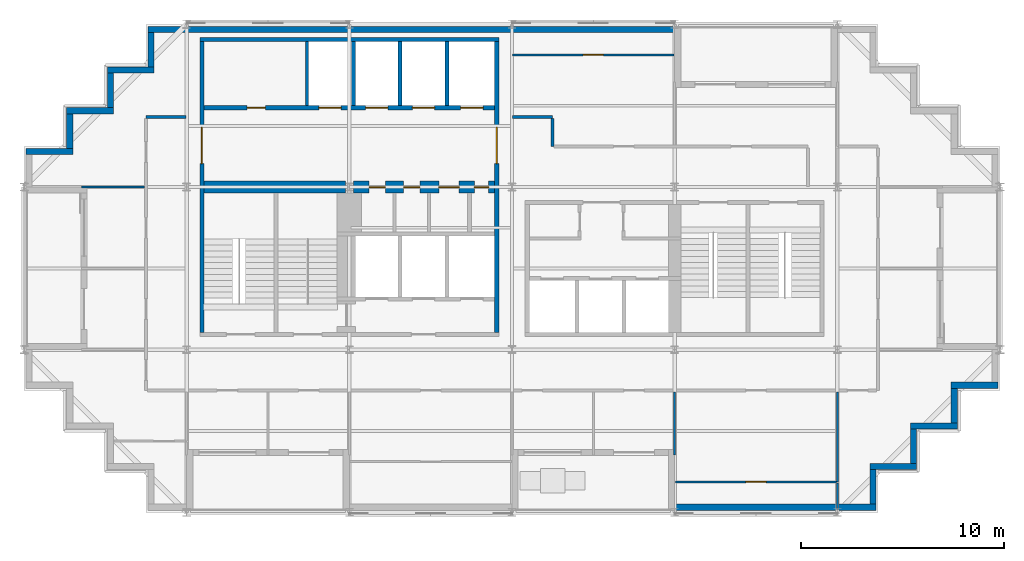
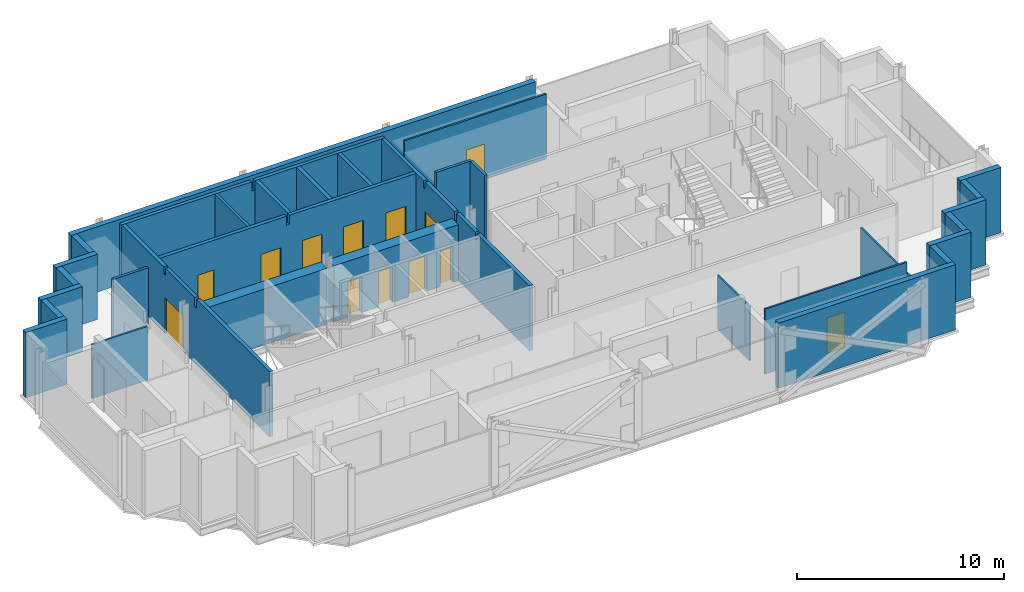
# One storey, part 6 of 10: 33 walls, 13 doors, 13 openings.
"""IFC4 building model written with IfcOpenShell, lengths in metres."""

from ifc_helpers import new_model, si_unit, direction, frame, frame_2d, origin, place, context, subcontext, project, spatial, polyline, rectangle, outline, extrude, material, layer, layer_set, type_object, element, fill, save


model = new_model("IFC4")

# Units and contexts
model_context = context("Model", 3, precision=1e-05, world=origin(), true_north=direction((0.0, 1.0)))
body_context = subcontext(model_context, "Body", "Model", "MODEL_VIEW")
ifc_project = project(units=[si_unit("LENGTHUNIT", "METRE"), si_unit("AREAUNIT", "SQUARE_METRE"), si_unit("VOLUMEUNIT", "CUBIC_METRE"), si_unit("PLANEANGLEUNIT", "RADIAN"), si_unit("MASSUNIT", "GRAM", prefix="KILO")], contexts=[model_context])

# Site, building, storey
site_placement = place(None, origin())
site = spatial("IfcSite", under=ifc_project, at=site_placement, CompositionType="ELEMENT")
building_placement = place(site_placement, origin())
building = spatial("IfcBuilding", under=site, at=building_placement, Name="Immortelle Media Tower", CompositionType="ELEMENT")
storey_placement = place(building_placement, frame((0.0, 0.0, 255.0)))
storey = spatial("IfcBuildingStorey", under=building, at=storey_placement, Name="L55", CompositionType="ELEMENT", Elevation=255.0)

# Wall, openings, doors
ifc_material_1 = material(Name="Fire-rated masonry blockwork", Category="masonry")
ifc_layer_1 = layer(ifc_material_1, 0.60009765625)
ifc_layer_set_1 = layer_set([ifc_layer_1], Name="Fire-rated masonry blockwork")
wall_type_1 = type_object("IfcWallType", Name="Core grid-line wall 600", PredefinedType="PARTITIONING", material=ifc_layer_set_1)
wall_1_placement = place(storey_placement, frame((16.195556640625, 16.0, 0.0), z_axis=(0.0, 0.0, 1.0), x_axis=(1.0, 0.0, 0.0)))
wall_1 = element("IfcWall", 1, at=wall_1_placement, inside=storey, type_object=wall_type_1, Name="Core grid-line wall SW", PredefinedType="PARTITIONING", context=body_context, shape_type="SweptSolid", body=[
    extrude(rectangle(XDim=6.954345703125, YDim=0.60009765625, at=frame_2d((3.47705078125, 0.0))), origin(), (0.0, 0.0, 1.0), 3.30810546875),
])
opening_1_placement = place(wall_1_placement, frame((1.57958984375, 0.0, 0.0), z_axis=(0.0, 0.0, 1.0), x_axis=(-1.0, 0.0, 0.0)))
opening_1 = element("IfcOpeningElement", 2, at=opening_1_placement, cuts=wall_1, Name="Opening X1-K009", PredefinedType="OPENING", context=body_context, shape_type="SweptSolid", body=[
    extrude(rectangle(XDim=0.800048828125, YDim=2.10009765625, at=frame_2d((0.39990234375, 1.050048828125))), frame((0.0, 0.31005859375, 0.0), z_axis=(0.0, -1.0, 0.0), x_axis=(1.0, 0.0, 0.0)), (0.0, 0.0, 1.0), 0.6201171875),
])
opening_2_placement = place(wall_1_placement, frame((3.279541015625, 0.0, 0.0), z_axis=(0.0, 0.0, 1.0), x_axis=(-1.0, 0.0, 0.0)))
opening_2 = element("IfcOpeningElement", 3, at=opening_2_placement, cuts=wall_1, Name="Opening X1-K010", PredefinedType="OPENING", context=body_context, shape_type="SweptSolid", body=[
    extrude(rectangle(XDim=0.800048828125, YDim=2.10009765625, at=frame_2d((0.39990234375, 1.050048828125))), frame((0.0, 0.31005859375, 0.0), z_axis=(0.0, -1.0, 0.0), x_axis=(1.0, 0.0, 0.0)), (0.0, 0.0, 1.0), 0.6201171875),
])
opening_3_placement = place(wall_1_placement, frame((5.20458984375, 0.0, 0.0), z_axis=(0.0, 0.0, 1.0), x_axis=(-1.0, 0.0, 0.0)))
opening_3 = element("IfcOpeningElement", 4, at=opening_3_placement, cuts=wall_1, Name="Opening X1-K014", PredefinedType="OPENING", context=body_context, shape_type="SweptSolid", body=[
    extrude(rectangle(XDim=1.0, YDim=2.10009765625, at=frame_2d((0.5, 1.050048828125))), frame((0.0, 0.31005859375, 0.0), z_axis=(0.0, -1.0, 0.0), x_axis=(1.0, 0.0, 0.0)), (0.0, 0.0, 1.0), 0.6201171875),
])
opening_4_placement = place(wall_1_placement, frame((6.654541015625, 0.0, 0.0), z_axis=(0.0, 0.0, 1.0), x_axis=(-1.0, 0.0, 0.0)))
opening_4 = element("IfcOpeningElement", 5, at=opening_4_placement, cuts=wall_1, Name="Opening X1-K017", PredefinedType="OPENING", context=body_context, shape_type="SweptSolid", body=[
    extrude(rectangle(XDim=0.699951171875, YDim=2.10009765625, at=frame_2d((0.35009765625, 1.050048828125))), frame((0.0, 0.31005859375, 0.0), z_axis=(0.0, -1.0, 0.0), x_axis=(1.0, 0.0, 0.0)), (0.0, 0.0, 1.0), 0.6201171875),
])
ifc_material_2 = material(Name="Timber", Category="wood")
door_type_1 = type_object("IfcDoorType", Name="Accessible toilet door 1000 x 2100", OperationType="NOTDEFINED", PredefinedType="NOTDEFINED", material=ifc_material_2)
door_1_placement = place(opening_3_placement, origin())
door_1 = element("IfcDoor", 6, at=door_1_placement, inside=storey, type_object=door_type_1, Name="Accessible toilet X1-K014", OperationType="SINGLE_SWING_RIGHT", OverallHeight=2.10009765625, OverallWidth=1.0, PredefinedType="NOTDEFINED", context=body_context, shape_type="SweptSolid", body=[
    extrude(rectangle(XDim=1.0, YDim=2.10009765625, at=frame_2d((0.5, 1.050048828125))), frame((0.0, 0.02490234375, 0.0), z_axis=(0.0, -1.0, 0.0), x_axis=(1.0, 0.0, 0.0)), (0.0, 0.0, 1.0), 0.050048828125),
])
fill(opening_3, door_1)
ifc_material_3 = material(Name="Galvanised steel door leaf and frame ASTM A653", Category="steel")
door_type_2 = type_object("IfcDoorType", Name="Service door 700 x 2100", OperationType="NOTDEFINED", PredefinedType="NOTDEFINED", material=ifc_material_3)
door_2_placement = place(opening_4_placement, origin())
door_2 = element("IfcDoor", 7, at=door_2_placement, inside=storey, type_object=door_type_2, Name="Service X1-K017", OperationType="SINGLE_SWING_RIGHT", OverallHeight=2.10009765625, OverallWidth=0.699951171875, PredefinedType="NOTDEFINED", context=body_context, shape_type="SweptSolid", body=[
    extrude(rectangle(XDim=0.699951171875, YDim=2.10009765625, at=frame_2d((0.35009765625, 1.050048828125))), frame((0.0, 0.02490234375, 0.0), z_axis=(0.0, -1.0, 0.0), x_axis=(1.0, 0.0, 0.0)), (0.0, 0.0, 1.0), 0.050048828125),
])
fill(opening_4, door_2)
door_type_3 = type_object("IfcDoorType", Name="Toilet door 800 x 2100", OperationType="NOTDEFINED", PredefinedType="NOTDEFINED", material=ifc_material_2)
door_3_placement = place(opening_1_placement, origin())
door_3 = element("IfcDoor", 8, at=door_3_placement, inside=storey, type_object=door_type_3, Name="Toilet X1-K009", OperationType="SINGLE_SWING_LEFT", OverallHeight=2.10009765625, OverallWidth=0.800048828125, PredefinedType="NOTDEFINED", context=body_context, shape_type="SweptSolid", body=[
    extrude(rectangle(XDim=0.800048828125, YDim=2.10009765625, at=frame_2d((0.39990234375, 1.050048828125))), frame((0.0, 0.02490234375, 0.0), z_axis=(0.0, -1.0, 0.0), x_axis=(1.0, 0.0, 0.0)), (0.0, 0.0, 1.0), 0.050048828125),
])
fill(opening_1, door_3)
door_4_placement = place(opening_2_placement, origin())
door_4 = element("IfcDoor", 9, at=door_4_placement, inside=storey, type_object=door_type_3, Name="Toilet X1-K010", OperationType="SINGLE_SWING_LEFT", OverallHeight=2.10009765625, OverallWidth=0.800048828125, PredefinedType="NOTDEFINED", context=body_context, shape_type="SweptSolid", body=[
    extrude(rectangle(XDim=0.800048828125, YDim=2.10009765625, at=frame_2d((0.39990234375, 1.050048828125))), frame((0.0, 0.02490234375, 0.0), z_axis=(0.0, -1.0, 0.0), x_axis=(1.0, 0.0, 0.0)), (0.0, 0.0, 1.0), 0.050048828125),
])
fill(opening_2, door_4)

# Walls
ifc_material_4 = material(Name="Fire-rated gypsum board", Category="gypsum")
ifc_layer_2 = layer(ifc_material_4, 0.02490234375)
ifc_material_5 = material(Name="Steel ASTM A653 SS Gr 50 stud frame with mineral wool", Category="steel")
ifc_layer_3 = layer(ifc_material_5, 0.10009765625)
ifc_layer_4 = layer(ifc_material_4, 0.02490234375)
ifc_layer_set_2 = layer_set([ifc_layer_2, ifc_layer_3, ifc_layer_4], Name="Steel ASTM A653 SS Gr 50 stud frame with mineral wool")
wall_type_2 = type_object("IfcWallType", Name="Core partition 150", PredefinedType="PARTITIONING", material=ifc_layer_set_2)
wall_2_placement = place(storey_placement, frame((13.925048828125, 20.0, 0.0), z_axis=(0.0, 0.0, 1.0), x_axis=(0.0, 1.0, 0.0)))
element("IfcWall", 10, at=wall_2_placement, inside=storey, type_object=wall_type_2, Name="Core partition SW", PredefinedType="PARTITIONING", context=body_context, shape_type="SweptSolid", body=[
    extrude(rectangle(XDim=3.14990234375, YDim=0.14990234375, at=frame_2d((1.574951171875, 0.0))), origin(), (0.0, 0.0, 1.0), 3.85009765625),
])
ifc_layer_5 = layer(ifc_material_4, 0.03759765625)
ifc_layer_6 = layer(ifc_material_5, 0.125)
ifc_layer_7 = layer(ifc_material_4, 0.03759765625)
ifc_layer_set_3 = layer_set([ifc_layer_5, ifc_layer_6, ifc_layer_7], Name="Steel ASTM A653 SS Gr 50 stud frame with mineral wool")
wall_type_3 = type_object("IfcWallType", Name="Core shaft wall 200", PredefinedType="PARTITIONING", material=ifc_layer_set_3)
wall_3_placement = place(storey_placement, frame((8.64990234375, 23.25, 0.0), z_axis=(0.0, 0.0, 1.0), x_axis=(1.0, 0.0, 0.0)))
element("IfcWall", 11, at=wall_3_placement, inside=storey, type_object=wall_type_3, Name="Core shaft wall SW", PredefinedType="PARTITIONING", context=body_context, shape_type="SweptSolid", body=[
    extrude(outline(polyline([(0.0, 0.0), (14.7001953125, 0.0), (14.699951171875, 3.85009765625), (7.4384765625, 3.85009765625), (7.4375, 3.30810546875), (7.262451171875, 3.30810546875), (7.261474609375, 3.85009765625), (0.0, 3.85009765625), (0.0, 0.0)])), frame((0.0, 0.10009765625, 0.0), z_axis=(0.0, -1.0, 0.0), x_axis=(1.0, 0.0, 0.0)), (0.0, 0.0, 1.0), 0.199951171875),
])

# Wall, openings, doors
wall_4_placement = place(storey_placement, frame((8.85009765625, 19.89990234375, 0.0), z_axis=(0.0, 0.0, 1.0), x_axis=(1.0, 0.0, 0.0)))
wall_4 = element("IfcWall", 12, at=wall_4_placement, inside=storey, type_object=wall_type_3, Name="Core shaft wall SW", PredefinedType="PARTITIONING", context=body_context, shape_type="SweptSolid", body=[
    extrude(outline(polyline([(0.0, 0.0), (14.2998046875, 0.0), (14.300048828125, 3.85009765625), (7.238525390625, 3.85009765625), (7.237548828125, 3.30810546875), (7.0625, 3.30810546875), (7.0615234375, 3.85009765625), (0.0, 3.85009765625), (0.0, 0.0)])), frame((0.0, 0.10009765625, 0.0), z_axis=(0.0, -1.0, 0.0), x_axis=(1.0, 0.0, 0.0)), (0.0, 0.0, 1.0), 0.199951171875),
])
opening_5_placement = place(wall_4_placement, frame((2.125, 0.0, 0.0)))
opening_5 = element("IfcOpeningElement", 13, at=opening_5_placement, cuts=wall_4, Name="Opening X1-K003", PredefinedType="OPENING", context=body_context, shape_type="SweptSolid", body=[
    extrude(rectangle(XDim=0.89990234375, YDim=2.10009765625, at=frame_2d((0.449951171875, 1.050048828125))), frame((0.0, 0.10986328125, 0.0), z_axis=(0.0, -1.0, 0.0), x_axis=(1.0, 0.0, 0.0)), (0.0, 0.0, 1.0), 0.219970703125),
])
opening_6_placement = place(wall_4_placement, frame((5.64990234375, 0.0, 0.0)))
opening_6 = element("IfcOpeningElement", 14, at=opening_6_placement, cuts=wall_4, Name="Opening LD", PredefinedType="OPENING", context=body_context, shape_type="SweptSolid", body=[
    extrude(rectangle(XDim=1.10009765625, YDim=2.10009765625, at=frame_2d((0.550048828125, 1.050048828125))), frame((0.0, 0.10986328125, 0.0), z_axis=(0.0, -1.0, 0.0), x_axis=(1.0, 0.0, 0.0)), (0.0, 0.0, 1.0), 0.219970703125),
])
opening_7_placement = place(wall_4_placement, frame((7.949951171875, 0.0, 0.0)))
opening_7 = element("IfcOpeningElement", 15, at=opening_7_placement, cuts=wall_4, Name="Opening LD", PredefinedType="OPENING", context=body_context, shape_type="SweptSolid", body=[
    extrude(rectangle(XDim=1.10009765625, YDim=2.10009765625, at=frame_2d((0.550048828125, 1.050048828125))), frame((0.0, 0.10986328125, 0.0), z_axis=(0.0, -1.0, 0.0), x_axis=(1.0, 0.0, 0.0)), (0.0, 0.0, 1.0), 0.219970703125),
])
opening_8_placement = place(wall_4_placement, frame((10.25, 0.0, 0.0)))
opening_8 = element("IfcOpeningElement", 16, at=opening_8_placement, cuts=wall_4, Name="Opening LD", PredefinedType="OPENING", context=body_context, shape_type="SweptSolid", body=[
    extrude(rectangle(XDim=1.10009765625, YDim=2.10009765625, at=frame_2d((0.550048828125, 1.050048828125))), frame((0.0, 0.10986328125, 0.0), z_axis=(0.0, -1.0, 0.0), x_axis=(1.0, 0.0, 0.0)), (0.0, 0.0, 1.0), 0.219970703125),
])
opening_9_placement = place(wall_4_placement, frame((12.625, 0.0, 0.0)))
opening_9 = element("IfcOpeningElement", 17, at=opening_9_placement, cuts=wall_4, Name="Opening LD", PredefinedType="OPENING", context=body_context, shape_type="SweptSolid", body=[
    extrude(rectangle(XDim=1.10009765625, YDim=2.10009765625, at=frame_2d((0.550048828125, 1.050048828125))), frame((0.0, 0.10986328125, 0.0), z_axis=(0.0, -1.0, 0.0), x_axis=(1.0, 0.0, 0.0)), (0.0, 0.0, 1.0), 0.219970703125),
])
ifc_material_6 = material(Name="Stainless steel AISI 304", Category="steel")
door_type_4 = type_object("IfcDoorType", Name="Landing door 1100 x 2100", OperationType="SLIDING_TO_LEFT", PredefinedType="NOTDEFINED", material=ifc_material_6)
door_5_placement = place(opening_6_placement, origin())
door_5 = element("IfcDoor", 18, at=door_5_placement, inside=storey, type_object=door_type_4, Name="Landing door HR1 L55", OperationType="SLIDING_TO_LEFT", OverallHeight=2.10009765625, OverallWidth=1.10009765625, PredefinedType="NOTDEFINED", context=body_context, shape_type="SweptSolid", body=[
    extrude(rectangle(XDim=1.10009765625, YDim=2.10009765625, at=frame_2d((0.550048828125, 1.050048828125))), frame((0.0, 0.02490234375, 0.0), z_axis=(0.0, -1.0, 0.0), x_axis=(1.0, 0.0, 0.0)), (0.0, 0.0, 1.0), 0.050048828125),
])
fill(opening_6, door_5)
door_6_placement = place(opening_7_placement, origin())
door_6 = element("IfcDoor", 19, at=door_6_placement, inside=storey, type_object=door_type_4, Name="Landing door HR2 L55", OperationType="SLIDING_TO_LEFT", OverallHeight=2.10009765625, OverallWidth=1.10009765625, PredefinedType="NOTDEFINED", context=body_context, shape_type="SweptSolid", body=[
    extrude(rectangle(XDim=1.10009765625, YDim=2.10009765625, at=frame_2d((0.550048828125, 1.050048828125))), frame((0.0, 0.02490234375, 0.0), z_axis=(0.0, -1.0, 0.0), x_axis=(1.0, 0.0, 0.0)), (0.0, 0.0, 1.0), 0.050048828125),
])
fill(opening_7, door_6)
door_7_placement = place(opening_8_placement, origin())
door_7 = element("IfcDoor", 20, at=door_7_placement, inside=storey, type_object=door_type_4, Name="Landing door HR3 L55", OperationType="SLIDING_TO_LEFT", OverallHeight=2.10009765625, OverallWidth=1.10009765625, PredefinedType="NOTDEFINED", context=body_context, shape_type="SweptSolid", body=[
    extrude(rectangle(XDim=1.10009765625, YDim=2.10009765625, at=frame_2d((0.550048828125, 1.050048828125))), frame((0.0, 0.02490234375, 0.0), z_axis=(0.0, -1.0, 0.0), x_axis=(1.0, 0.0, 0.0)), (0.0, 0.0, 1.0), 0.050048828125),
])
fill(opening_8, door_7)
door_8_placement = place(opening_9_placement, origin())
door_8 = element("IfcDoor", 21, at=door_8_placement, inside=storey, type_object=door_type_4, Name="Landing door HR4 L55", OperationType="SLIDING_TO_LEFT", OverallHeight=2.10009765625, OverallWidth=1.10009765625, PredefinedType="NOTDEFINED", context=body_context, shape_type="SweptSolid", body=[
    extrude(rectangle(XDim=1.10009765625, YDim=2.10009765625, at=frame_2d((0.550048828125, 1.050048828125))), frame((0.0, 0.02490234375, 0.0), z_axis=(0.0, -1.0, 0.0), x_axis=(1.0, 0.0, 0.0)), (0.0, 0.0, 1.0), 0.050048828125),
])
fill(opening_9, door_8)
door_type_5 = type_object("IfcDoorType", Name="Room door 900 x 2100", OperationType="NOTDEFINED", PredefinedType="NOTDEFINED", material=ifc_material_2)
door_9_placement = place(opening_5_placement, origin())
door_9 = element("IfcDoor", 22, at=door_9_placement, inside=storey, type_object=door_type_5, Name="Room X1-K003", OperationType="SINGLE_SWING_RIGHT", OverallHeight=2.10009765625, OverallWidth=0.89990234375, PredefinedType="NOTDEFINED", context=body_context, shape_type="SweptSolid", body=[
    extrude(rectangle(XDim=0.89990234375, YDim=2.10009765625, at=frame_2d((0.449951171875, 1.050048828125))), frame((0.0, 0.02490234375, 0.0), z_axis=(0.0, -1.0, 0.0), x_axis=(1.0, 0.0, 0.0)), (0.0, 0.0, 1.0), 0.050048828125),
])
fill(opening_5, door_9)

# Walls
for number, where, z_axis, x_axis, name in (
    (23, (16.199951171875, 20.0, 0.0), (0.0, 0.0, 1.0), (0.0, 1.0, 0.0), "Core shaft wall SW"),
    (24, (18.5, 20.0, 0.0), (0.0, 0.0, 1.0), (0.0, 1.0, 0.0), "Core shaft wall SW"),
    (25, (20.800048828125, 20.0, 0.0), (0.0, 0.0, 1.0), (0.0, 1.0, 0.0), "Core shaft wall SW"),
):
    element("IfcWall", number, at=place(storey_placement, frame(where, z_axis=z_axis, x_axis=x_axis)), inside=storey, type_object=wall_type_3, Name=name, PredefinedType="PARTITIONING", context=body_context, shape_type="SweptSolid", body=[
        extrude(rectangle(XDim=3.14990234375, YDim=0.199951171875, at=frame_2d((1.574951171875, 0.0))), origin(), (0.0, 0.0, 1.0), 3.85009765625),
    ])

# Wall, opening, door
wall_5_placement = place(storey_placement, frame((23.25, 8.85009765625, 0.0), z_axis=(0.0, 0.0, 1.0), x_axis=(0.0, 1.0, 0.0)))
wall_5 = element("IfcWall", 26, at=wall_5_placement, inside=storey, type_object=wall_type_3, Name="Core shaft wall SW", PredefinedType="PARTITIONING", context=body_context, shape_type="SweptSolid", body=[
    extrude(outline(polyline([(0.0, 0.0), (14.2998046875, 0.0), (14.300048828125, 3.85009765625), (10.22509765625, 3.85009765625), (10.22412109375, 3.43994140625), (10.075927734375, 3.43994140625), (10.074951171875, 3.85009765625), (7.238525390625, 3.85009765625), (7.237548828125, 3.30810546875), (7.0625, 3.30810546875), (7.0615234375, 3.85009765625), (5.22509765625, 3.85009765625), (5.22412109375, 3.43994140625), (5.075927734375, 3.43994140625), (5.074951171875, 3.85009765625), (0.0, 3.85009765625), (0.0, 0.0)])), frame((0.0, 0.10009765625, 0.0), z_axis=(0.0, -1.0, 0.0), x_axis=(1.0, 0.0, 0.0)), (0.0, 0.0, 1.0), 0.199951171875),
])
opening_10_placement = place(wall_5_placement, frame((8.300048828125, 0.0, 0.0)))
opening_10 = element("IfcOpeningElement", 27, at=opening_10_placement, cuts=wall_5, Name="Opening X1-K018", PredefinedType="OPENING", context=body_context, shape_type="SweptSolid", body=[
    extrude(rectangle(XDim=1.800048828125, YDim=2.10009765625, at=frame_2d((0.89990234375, 1.050048828125))), frame((0.0, 0.10986328125, 0.0), z_axis=(0.0, -1.0, 0.0), x_axis=(1.0, 0.0, 0.0)), (0.0, 0.0, 1.0), 0.219970703125),
])
door_type_6 = type_object("IfcDoorType", Name="Lift lobby door 1800 x 2100", OperationType="DOUBLE_DOOR_SINGLE_SWING", PredefinedType="NOTDEFINED", material=ifc_material_3)
door_10_placement = place(opening_10_placement, origin())
door_10 = element("IfcDoor", 28, at=door_10_placement, inside=storey, type_object=door_type_6, Name="Lift lobby X1-K018", OperationType="DOUBLE_DOOR_SINGLE_SWING", OverallHeight=2.10009765625, OverallWidth=1.800048828125, PredefinedType="NOTDEFINED", context=body_context, shape_type="SweptSolid", body=[
    extrude(rectangle(XDim=1.800048828125, YDim=2.10009765625, at=frame_2d((0.89990234375, 1.050048828125))), frame((0.0, 0.02490234375, 0.0), z_axis=(0.0, -1.0, 0.0), x_axis=(1.0, 0.0, 0.0)), (0.0, 0.0, 1.0), 0.050048828125),
])
fill(opening_10, door_10)

# Walls
ifc_layer_8 = layer(ifc_material_4, 0.012451171875)
ifc_layer_9 = layer(ifc_material_5, 0.125)
ifc_layer_10 = layer(ifc_material_4, 0.012451171875)
ifc_layer_set_4 = layer_set([ifc_layer_8, ifc_layer_9, ifc_layer_10], Name="Steel ASTM A653 SS Gr 50 stud frame with mineral wool")
wall_type_4 = type_object("IfcWallType", Name="Corridor wall 150", PredefinedType="PARTITIONING", material=ifc_layer_set_4)
wall_6_placement = place(storey_placement, frame((26.0, 18.0, 0.0), z_axis=(0.0, 0.0, 1.0), x_axis=(0.0, 1.0, 0.0)))
element("IfcWall", 29, at=wall_6_placement, inside=storey, type_object=wall_type_4, Name="Partition L55-025", PredefinedType="PARTITIONING", context=body_context, shape_type="SweptSolid", body=[
    extrude(rectangle(XDim=1.375, YDim=0.14990234375, at=frame_2d((0.6875, 0.0))), origin(), (0.0, 0.0, 1.0), 3.85009765625),
])
for number, where, z_axis, x_axis, name in (
    (30, (6.0, 19.449951171875, 0.0), (0.0, 0.0, 1.0), (1.0, 0.0, 0.0), "Partition L55-029"),
    (31, (24.030029296875, 19.449951171875, 0.0), (0.0, 0.0, 1.0), (1.0, 0.0, 0.0), "Partition L55-030"),
):
    element("IfcWall", number, at=place(storey_placement, frame(where, z_axis=z_axis, x_axis=x_axis)), inside=storey, type_object=wall_type_4, Name=name, PredefinedType="PARTITIONING", context=body_context, shape_type="SweptSolid", body=[
        extrude(rectangle(XDim=1.969970703125, YDim=0.14990234375, at=frame_2d((0.98486328125, 0.0))), origin(), (0.0, 0.0, 1.0), 3.85009765625),
    ])
ifc_material_7 = material(Name="Pale aluminium cladding panel", Category="aluminium")
ifc_layer_11 = layer(ifc_material_7, 0.030029296875)
ifc_layer_12 = layer(ifc_material_5, 0.257568359375)
ifc_material_8 = material(Name="Moisture-resistant gypsum board", Category="gypsum")
ifc_layer_13 = layer(ifc_material_8, 0.012451171875)
ifc_layer_set_5 = layer_set([ifc_layer_11, ifc_layer_12, ifc_layer_13], Name="Steel ASTM A653 SS Gr 50 stud frame with mineral wool")
wall_type_5 = type_object("IfcWallType", Name="Facade wall 300", PredefinedType="SOLIDWALL", material=ifc_layer_set_5)
wall_7_placement = place(storey_placement, frame((32.0, 0.25, 0.0), z_axis=(0.0, 0.0, 1.0), x_axis=(1.0, 0.0, 0.0)))
element("IfcWall", 32, at=wall_7_placement, inside=storey, type_object=wall_type_5, Name="Facade wall L55 S6", PredefinedType="SOLIDWALL", context=body_context, shape_type="SweptSolid", body=[
    extrude(rectangle(XDim=9.89990234375, YDim=0.300048828125, at=frame_2d((4.949951171875, 0.0))), origin(), (0.0, 0.0, 1.0), 3.85009765625),
])
wall_8_placement = place(storey_placement, frame((41.75, 0.39990234375, 0.0), z_axis=(0.0, 0.0, 1.0), x_axis=(0.0, 1.0, 0.0)))
element("IfcWall", 33, at=wall_8_placement, inside=storey, type_object=wall_type_5, Name="Facade wall L55 E7", PredefinedType="SOLIDWALL", context=body_context, shape_type="SweptSolid", body=[
    extrude(rectangle(XDim=1.7001953125, YDim=0.300048828125, at=frame_2d((0.85009765625, 0.0))), origin(), (0.0, 0.0, 1.0), 3.85009765625),
])
wall_9_placement = place(storey_placement, frame((41.60009765625, 2.25, 0.0), z_axis=(0.0, 0.0, 1.0), x_axis=(1.0, 0.0, 0.0)))
element("IfcWall", 34, at=wall_9_placement, inside=storey, type_object=wall_type_5, Name="Facade wall L55 S8", PredefinedType="SOLIDWALL", context=body_context, shape_type="SweptSolid", body=[
    extrude(rectangle(XDim=2.2998046875, YDim=0.300048828125, at=frame_2d((1.14990234375, 0.0))), origin(), (0.0, 0.0, 1.0), 3.85009765625),
])
wall_10_placement = place(storey_placement, frame((43.75, 2.39990234375, 0.0), z_axis=(0.0, 0.0, 1.0), x_axis=(0.0, 1.0, 0.0)))
element("IfcWall", 35, at=wall_10_placement, inside=storey, type_object=wall_type_5, Name="Facade wall L55 E9", PredefinedType="SOLIDWALL", context=body_context, shape_type="SweptSolid", body=[
    extrude(rectangle(XDim=1.7001953125, YDim=0.300048828125, at=frame_2d((0.85009765625, 0.0))), origin(), (0.0, 0.0, 1.0), 3.85009765625),
])
wall_11_placement = place(storey_placement, frame((43.60009765625, 4.25, 0.0), z_axis=(0.0, 0.0, 1.0), x_axis=(1.0, 0.0, 0.0)))
element("IfcWall", 36, at=wall_11_placement, inside=storey, type_object=wall_type_5, Name="Facade wall L55 S10", PredefinedType="SOLIDWALL", context=body_context, shape_type="SweptSolid", body=[
    extrude(rectangle(XDim=2.2998046875, YDim=0.300048828125, at=frame_2d((1.14990234375, 0.0))), origin(), (0.0, 0.0, 1.0), 3.85009765625),
])
wall_12_placement = place(storey_placement, frame((45.75, 4.39990234375, 0.0), z_axis=(0.0, 0.0, 1.0), x_axis=(0.0, 1.0, 0.0)))
element("IfcWall", 37, at=wall_12_placement, inside=storey, type_object=wall_type_5, Name="Facade wall L55 E11", PredefinedType="SOLIDWALL", context=body_context, shape_type="SweptSolid", body=[
    extrude(rectangle(XDim=1.7001953125, YDim=0.300048828125, at=frame_2d((0.85009765625, 0.0))), origin(), (0.0, 0.0, 1.0), 3.85009765625),
])
wall_13_placement = place(storey_placement, frame((45.60009765625, 6.25, 0.0), z_axis=(0.0, 0.0, 1.0), x_axis=(1.0, 0.0, 0.0)))
element("IfcWall", 38, at=wall_13_placement, inside=storey, type_object=wall_type_5, Name="Facade wall L55 S12", PredefinedType="SOLIDWALL", context=body_context, shape_type="SweptSolid", body=[
    extrude(rectangle(XDim=2.2998046875, YDim=0.300048828125, at=frame_2d((1.14990234375, 0.0))), origin(), (0.0, 0.0, 1.0), 3.85009765625),
])
wall_14_placement = place(storey_placement, frame((32.0, 23.75, 0.0), z_axis=(0.0, 0.0, 1.0), x_axis=(-1.0, 0.0, 0.0)))
element("IfcWall", 39, at=wall_14_placement, inside=storey, type_object=wall_type_5, Name="Facade wall L55 N20", PredefinedType="SOLIDWALL", context=body_context, shape_type="SweptSolid", body=[
    extrude(rectangle(XDim=25.89990234375, YDim=0.300048828125, at=frame_2d((12.949951171875, 0.0))), origin(), (0.0, 0.0, 1.0), 3.85009765625),
])
wall_15_placement = place(storey_placement, frame((6.25, 23.60009765625, 0.0), z_axis=(0.0, 0.0, 1.0), x_axis=(0.0, -1.0, 0.0)))
element("IfcWall", 40, at=wall_15_placement, inside=storey, type_object=wall_type_5, Name="Facade wall L55 W21", PredefinedType="SOLIDWALL", context=body_context, shape_type="SweptSolid", body=[
    extrude(rectangle(XDim=1.7001953125, YDim=0.300048828125, at=frame_2d((0.85009765625, 0.0))), origin(), (0.0, 0.0, 1.0), 3.85009765625),
])
wall_16_placement = place(storey_placement, frame((6.39990234375, 21.75, 0.0), z_axis=(0.0, 0.0, 1.0), x_axis=(-1.0, 0.0, 0.0)))
element("IfcWall", 41, at=wall_16_placement, inside=storey, type_object=wall_type_5, Name="Facade wall L55 N22", PredefinedType="SOLIDWALL", context=body_context, shape_type="SweptSolid", body=[
    extrude(rectangle(XDim=2.2998046875, YDim=0.300048828125, at=frame_2d((1.14990234375, 0.0))), origin(), (0.0, 0.0, 1.0), 3.85009765625),
])
wall_17_placement = place(storey_placement, frame((4.25, 21.60009765625, 0.0), z_axis=(0.0, 0.0, 1.0), x_axis=(0.0, -1.0, 0.0)))
element("IfcWall", 42, at=wall_17_placement, inside=storey, type_object=wall_type_5, Name="Facade wall L55 W23", PredefinedType="SOLIDWALL", context=body_context, shape_type="SweptSolid", body=[
    extrude(rectangle(XDim=1.7001953125, YDim=0.300048828125, at=frame_2d((0.85009765625, 0.0))), origin(), (0.0, 0.0, 1.0), 3.85009765625),
])
wall_18_placement = place(storey_placement, frame((4.39990234375, 19.75, 0.0), z_axis=(0.0, 0.0, 1.0), x_axis=(-1.0, 0.0, 0.0)))
element("IfcWall", 43, at=wall_18_placement, inside=storey, type_object=wall_type_5, Name="Facade wall L55 N24", PredefinedType="SOLIDWALL", context=body_context, shape_type="SweptSolid", body=[
    extrude(rectangle(XDim=2.2998046875, YDim=0.300048828125, at=frame_2d((1.14990234375, 0.0))), origin(), (0.0, 0.0, 1.0), 3.85009765625),
])
wall_19_placement = place(storey_placement, frame((2.25, 19.60009765625, 0.0), z_axis=(0.0, 0.0, 1.0), x_axis=(0.0, -1.0, 0.0)))
element("IfcWall", 44, at=wall_19_placement, inside=storey, type_object=wall_type_5, Name="Facade wall L55 W25", PredefinedType="SOLIDWALL", context=body_context, shape_type="SweptSolid", body=[
    extrude(rectangle(XDim=1.7001953125, YDim=0.300048828125, at=frame_2d((0.85009765625, 0.0))), origin(), (0.0, 0.0, 1.0), 3.85009765625),
])
wall_20_placement = place(storey_placement, frame((2.39990234375, 17.75, 0.0), z_axis=(0.0, 0.0, 1.0), x_axis=(-1.0, 0.0, 0.0)))
element("IfcWall", 45, at=wall_20_placement, inside=storey, type_object=wall_type_5, Name="Facade wall L55 N26", PredefinedType="SOLIDWALL", context=body_context, shape_type="SweptSolid", body=[
    extrude(rectangle(XDim=2.2998046875, YDim=0.300048828125, at=frame_2d((1.14990234375, 0.0))), origin(), (0.0, 0.0, 1.0), 3.85009765625),
])
ifc_material_9 = material(Name="Gypsum board", Category="gypsum")
ifc_layer_14 = layer(ifc_material_9, 0.012451171875)
ifc_layer_15 = layer(ifc_material_5, 0.074951171875)
ifc_layer_16 = layer(ifc_material_9, 0.012451171875)
ifc_layer_set_6 = layer_set([ifc_layer_14, ifc_layer_15, ifc_layer_16], Name="Steel ASTM A653 SS Gr 50 stud frame with mineral wool")
wall_type_6 = type_object("IfcWallType", Name="Partition 100", PredefinedType="PARTITIONING", material=ifc_layer_set_6)
wall_21_placement = place(storey_placement, frame((40.0, 0.1298828125, 0.0), z_axis=(0.0, 0.0, 1.0), x_axis=(0.0, 1.0, 0.0)))
element("IfcWall", 46, at=wall_21_placement, inside=storey, type_object=wall_type_6, Name="Partition L55-001", PredefinedType="PARTITIONING", context=body_context, shape_type="SweptSolid", body=[
    extrude(rectangle(XDim=1.320068359375, YDim=0.10009765625, at=frame_2d((0.66015625, 0.0))), origin(), (0.0, 0.0, 1.0), 3.172119140625),
])

# Wall, opening, door
wall_22_placement = place(storey_placement, frame((32.030029296875, 1.5, 0.0), z_axis=(0.0, 0.0, 1.0), x_axis=(1.0, 0.0, 0.0)))
wall_22 = element("IfcWall", 47, at=wall_22_placement, inside=storey, type_object=wall_type_6, Name="Partition L55-002", PredefinedType="PARTITIONING", context=body_context, shape_type="SweptSolid", body=[
    extrude(rectangle(XDim=7.919921875, YDim=0.10009765625, at=frame_2d((3.9599609375, 0.0))), origin(), (0.0, 0.0, 1.0), 3.85009765625),
])
opening_11_placement = place(wall_22_placement, frame((3.469970703125, 0.0, 0.0)))
opening_11 = element("IfcOpeningElement", 48, at=opening_11_placement, cuts=wall_22, Name="Opening X1-F004", PredefinedType="OPENING", context=body_context, shape_type="SweptSolid", body=[
    extrude(rectangle(XDim=1.0, YDim=2.10009765625, at=frame_2d((0.5, 1.050048828125))), frame((0.0, 0.06005859375, 0.0), z_axis=(0.0, -1.0, 0.0), x_axis=(1.0, 0.0, 0.0)), (0.0, 0.0, 1.0), 0.1201171875),
])
ifc_material_10 = material(Name="Timber veneered door leaf, galvanised steel frame ASTM A653", Category="steel")
door_type_7 = type_object("IfcDoorType", Name="Room door 1000 x 2100", OperationType="NOTDEFINED", PredefinedType="DOOR", material=ifc_material_10)
door_11_placement = place(opening_11_placement, origin())
door_11 = element("IfcDoor", 49, at=door_11_placement, inside=storey, type_object=door_type_7, Name="Door X1-F004", OperationType="SINGLE_SWING_LEFT", OverallHeight=2.10009765625, OverallWidth=1.0, PredefinedType="DOOR", context=body_context, shape_type="SweptSolid", body=[
    extrude(rectangle(XDim=1.0, YDim=2.10009765625, at=frame_2d((0.5, 1.050048828125))), frame((0.0, 0.02490234375, 0.0), z_axis=(0.0, -1.0, 0.0), x_axis=(1.0, 0.0, 0.0)), (0.0, 0.0, 1.0), 0.050048828125),
])
fill(opening_11, door_11)

# Walls
wall_23_placement = place(storey_placement, frame((40.0, 1.5, 0.0), z_axis=(0.0, 0.0, 1.0), x_axis=(0.0, 1.0, 0.0)))
element("IfcWall", 50, at=wall_23_placement, inside=storey, type_object=wall_type_6, Name="Partition L55-003", PredefinedType="PARTITIONING", context=body_context, shape_type="SweptSolid", body=[
    extrude(rectangle(XDim=4.425048828125, YDim=0.10009765625, at=frame_2d((2.21240234375, 0.0))), origin(), (0.0, 0.0, 1.0), 3.172119140625),
])
for number, where, z_axis, x_axis, name in (
    (51, (32.0, 2.830078125, 0.0), (0.0, 0.0, 1.0), (0.0, 1.0, 0.0), "Partition L55-010"),
    (52, (2.830078125, 16.0, 0.0), (0.0, 0.0, 1.0), (1.0, 0.0, 0.0), "Partition L55-020"),
):
    element("IfcWall", number, at=place(storey_placement, frame(where, z_axis=z_axis, x_axis=x_axis)), inside=storey, type_object=wall_type_6, Name=name, PredefinedType="PARTITIONING", context=body_context, shape_type="SweptSolid", body=[
        extrude(rectangle(XDim=3.094970703125, YDim=0.10009765625, at=frame_2d((1.54736328125, 0.0))), origin(), (0.0, 0.0, 1.0), 3.172119140625),
    ])

# Wall, opening, door
wall_24_placement = place(storey_placement, frame((24.030029296875, 22.5, 0.0), z_axis=(0.0, 0.0, 1.0), x_axis=(1.0, 0.0, 0.0)))
wall_24 = element("IfcWall", 53, at=wall_24_placement, inside=storey, type_object=wall_type_6, Name="Partition L55-031", PredefinedType="PARTITIONING", context=body_context, shape_type="SweptSolid", body=[
    extrude(rectangle(XDim=7.93994140625, YDim=0.10009765625, at=frame_2d((3.969970703125, 0.0))), origin(), (0.0, 0.0, 1.0), 3.85009765625),
])
opening_12_placement = place(wall_24_placement, frame((3.469970703125, 0.0, 0.0)))
opening_12 = element("IfcOpeningElement", 54, at=opening_12_placement, cuts=wall_24, Name="Opening X1-F020", PredefinedType="OPENING", context=body_context, shape_type="SweptSolid", body=[
    extrude(rectangle(XDim=1.0, YDim=2.10009765625, at=frame_2d((0.5, 1.050048828125))), frame((0.0, 0.06005859375, 0.0), z_axis=(0.0, -1.0, 0.0), x_axis=(1.0, 0.0, 0.0)), (0.0, 0.0, 1.0), 0.1201171875),
])
door_12_placement = place(opening_12_placement, origin())
door_12 = element("IfcDoor", 55, at=door_12_placement, inside=storey, type_object=door_type_7, Name="Door X1-F020", OperationType="SINGLE_SWING_RIGHT", OverallHeight=2.10009765625, OverallWidth=1.0, PredefinedType="DOOR", context=body_context, shape_type="SweptSolid", body=[
    extrude(rectangle(XDim=1.0, YDim=2.10009765625, at=frame_2d((0.5, 1.050048828125))), frame((0.0, 0.02490234375, 0.0), z_axis=(0.0, -1.0, 0.0), x_axis=(1.0, 0.0, 0.0)), (0.0, 0.0, 1.0), 0.050048828125),
])
fill(opening_12, door_12)

ifc_material_11 = material(Name="Concrete C60", Category="concrete")
ifc_layer_17 = layer(ifc_material_11, 0.199951171875)
ifc_layer_set_7 = layer_set([ifc_layer_17], Name="Concrete C60")
wall_type_7 = type_object("IfcWallType", Name="Stair shaft wall 200", PredefinedType="PARTITIONING", material=ifc_layer_set_7)
wall_25_placement = place(storey_placement, frame((8.75, 8.85009765625, 0.0), z_axis=(0.0, 0.0, 1.0), x_axis=(0.0, 1.0, 0.0)))
wall_25 = element("IfcWall", 56, at=wall_25_placement, inside=storey, type_object=wall_type_7, Name="Stair shaft wall SW", PredefinedType="PARTITIONING", context=body_context, shape_type="SweptSolid", body=[
    extrude(outline(polyline([(0.0, 0.0), (14.2998046875, 0.0), (14.300048828125, 3.85009765625), (10.22509765625, 3.85009765625), (10.22412109375, 3.43994140625), (10.075927734375, 3.43994140625), (10.074951171875, 3.85009765625), (7.238525390625, 3.85009765625), (7.237548828125, 3.30810546875), (7.0625, 3.30810546875), (7.0615234375, 3.85009765625), (0.0, 3.85009765625), (0.0, 0.0)])), frame((0.0, 0.10009765625, 0.0), z_axis=(0.0, -1.0, 0.0), x_axis=(1.0, 0.0, 0.0)), (0.0, 0.0, 1.0), 0.199951171875),
])
opening_13_placement = place(wall_25_placement, frame((8.300048828125, 0.0, 0.0)))
opening_13 = element("IfcOpeningElement", 57, at=opening_13_placement, cuts=wall_25, Name="Opening X1-K001", PredefinedType="OPENING", context=body_context, shape_type="SweptSolid", body=[
    extrude(rectangle(XDim=1.800048828125, YDim=2.10009765625, at=frame_2d((0.89990234375, 1.050048828125))), frame((0.0, 0.10986328125, 0.0), z_axis=(0.0, -1.0, 0.0), x_axis=(1.0, 0.0, 0.0)), (0.0, 0.0, 1.0), 0.219970703125),
])
door_13_placement = place(opening_13_placement, origin())
door_13 = element("IfcDoor", 58, at=door_13_placement, inside=storey, type_object=door_type_6, Name="Lift lobby X1-K001", OperationType="DOUBLE_DOOR_SINGLE_SWING", OverallHeight=2.10009765625, OverallWidth=1.800048828125, PredefinedType="NOTDEFINED", context=body_context, shape_type="SweptSolid", body=[
    extrude(rectangle(XDim=1.800048828125, YDim=2.10009765625, at=frame_2d((0.89990234375, 1.050048828125))), frame((0.0, 0.02490234375, 0.0), z_axis=(0.0, -1.0, 0.0), x_axis=(1.0, 0.0, 0.0)), (0.0, 0.0, 1.0), 0.050048828125),
])
fill(opening_13, door_13)

# Wall
ifc_layer_18 = layer(ifc_material_11, 0.60009765625)
ifc_layer_set_8 = layer_set([ifc_layer_18], Name="Concrete C60")
wall_type_8 = type_object("IfcWallType", Name="Stair shaft wall 600", PredefinedType="PARTITIONING", material=ifc_layer_set_8)
wall_26_placement = place(storey_placement, frame((8.85009765625, 16.0, 0.0), z_axis=(0.0, 0.0, 1.0), x_axis=(1.0, 0.0, 0.0)))
element("IfcWall", 59, at=wall_26_placement, inside=storey, type_object=wall_type_8, Name="Stair shaft wall SW", PredefinedType="PARTITIONING", context=body_context, shape_type="SweptSolid", body=[
    extrude(rectangle(XDim=6.954345703125, YDim=0.60009765625, at=frame_2d((3.47705078125, 0.0))), origin(), (0.0, 0.0, 1.0), 3.30810546875),
])

save(model, "model.ifc")
